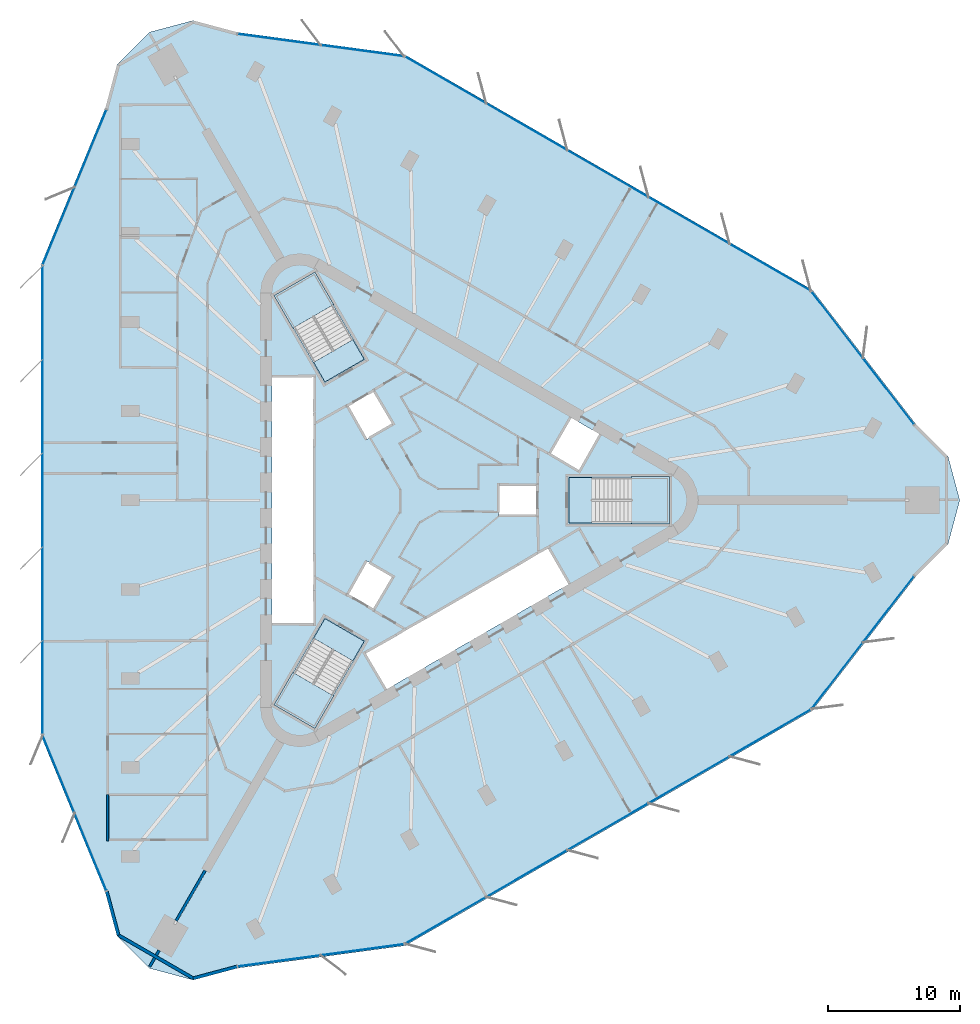
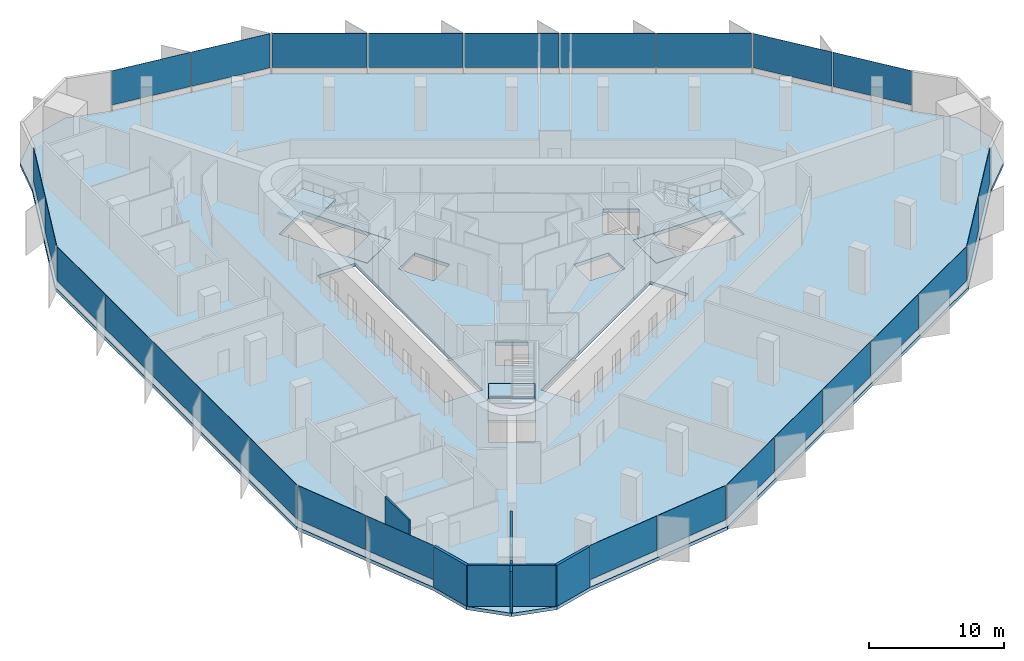
# One storey, part 7 of 14: 27 plates, 7 slabs, 7 walls, 12 elements without a shape of their own.
"""IFC4 building model written with IfcOpenShell, lengths in metres."""

from ifc_helpers import new_model, si_unit, direction, frame, frame_2d, origin, origin_2d, place, context, subcontext, project, spatial, polyline, rectangle, outline, extrude, material, layer, layer_set, type_object, element, aggregate, save


model = new_model("IFC4")

# Units and contexts
model_context = context("Model", 3, precision=1e-05, world=origin(), true_north=direction((0.0, 1.0)))
body_context = subcontext(model_context, "Body", "Model", "MODEL_VIEW")
ifc_project = project(units=[si_unit("LENGTHUNIT", "METRE"), si_unit("AREAUNIT", "SQUARE_METRE"), si_unit("VOLUMEUNIT", "CUBIC_METRE"), si_unit("PLANEANGLEUNIT", "RADIAN"), si_unit("MASSUNIT", "GRAM", prefix="KILO")], contexts=[model_context])

# Site, building, storey
site_placement = place(None, origin())
site = spatial("IfcSite", under=ifc_project, at=site_placement, CompositionType="ELEMENT")
building_placement = place(site_placement, origin())
building = spatial("IfcBuilding", under=site, at=building_placement, Name="Tanit Gate Tower", CompositionType="ELEMENT")
storey_placement = place(building_placement, frame((0.0, 0.0, 229.199951171875)))
storey = spatial("IfcBuildingStorey", under=building, at=storey_placement, Name="L51", CompositionType="ELEMENT", Elevation=229.199951171875)

# Slab
ifc_material_1 = material(Name="Concrete C35/45", Category="concrete")
ifc_layer_1 = layer(ifc_material_1, 0.300048828125)
ifc_layer_set_1 = layer_set([ifc_layer_1], Name="FLOOR SLAB 300 C35/45")
slab_type_1 = type_object("IfcSlabType", Name="FLOOR SLAB 300 C35/45", PredefinedType="FLOOR", material=ifc_layer_set_1)
slab_1_placement = place(storey_placement, frame((0.0, 0.0, -0.300048828125)))
element("IfcSlab", 1, at=slab_1_placement, inside=storey, type_object=slab_type_1, Name="FLOOR SLAB L51", PredefinedType="FLOOR", context=body_context, shape_type="SweptSolid", body=[
    extrude(outline(polyline([(37.72509765625, 5.792724609375), (40.173583984375, 3.344482421875), (41.069580078125, 0.0), (40.173583984375, -3.344482421875), (37.72509765625, -5.792724609375), (29.8583984375, -15.986572265625), (-1.083251953125, -33.853515625), (-13.845947265625, -35.5673828125), (-17.1904296875, -36.46337890625), (-20.534912109375, -35.5673828125), (-22.983154296875, -33.119140625), (-23.879150390625, -29.774658203125), (-28.77392578125, -17.86474609375), (-28.7763671875, 17.86474609375), (-23.879150390625, 29.774658203125), (-22.983154296875, 33.119140625), (-20.534912109375, 35.5673828125), (-17.1904296875, 36.46337890625), (-13.845947265625, 35.5673828125), (-1.08447265625, 33.851318359375), (29.859619140625, 15.988525390625), (37.72509765625, 5.792724609375)]), holes=[polyline([(11.3701171875, 1.72998046875), (18.929931640625, 1.72998046875), (18.929931640625, -1.72998046875), (11.3701171875, -1.72998046875), (11.3701171875, 1.72998046875)]), polyline([(9.82080078125, 3.510009765625), (11.44580078125, 6.324462890625), (13.783935546875, 4.974609375), (12.158935546875, 2.159912109375), (9.82080078125, 3.510009765625)]), polyline([(-4.208984375, -11.60986328125), (9.82080078125, -3.510009765625), (11.44580078125, -6.324462890625), (-2.583984375, -14.424560546875), (-4.208984375, -11.60986328125)]), polyline([(6.0, 1.199951171875), (9.0, 1.199951171875), (9.0, -1.199951171875), (6.0, -1.199951171875), (6.0, 1.199951171875)]), polyline([(-5.539306640625, 7.194091796875), (-3.460693359375, 8.394287109375), (-1.960693359375, 5.796142578125), (-4.039306640625, 4.59619140625), (-5.539306640625, 7.194091796875)]), polyline([(-1.960693359375, -5.796142578125), (-3.460693359375, -8.394287109375), (-5.539306640625, -7.194091796875), (-4.039306640625, -4.59619140625), (-1.960693359375, -5.796142578125)]), polyline([(-10.963134765625, 15.52880859375), (-7.966796875, 17.2587890625), (-4.186767578125, 10.711669921875), (-7.18310546875, 8.981689453125), (-10.963134765625, 15.52880859375)]), polyline([(-4.186767578125, -10.711669921875), (-7.966796875, -17.2587890625), (-10.963134765625, -15.52880859375), (-7.18310546875, -8.981689453125), (-4.186767578125, -10.711669921875)]), polyline([(-11.199951171875, -9.449951171875), (-11.199951171875, 9.449951171875), (-7.949951171875, 9.449951171875), (-7.949951171875, -9.449951171875), (-11.199951171875, -9.449951171875)])]), origin(), (0.0, 0.0, 1.0), 0.300048828125),
])

# Curtain wall, plates
ifc_material_2 = material(Name="Aluminium bronze anodised and glass", Category="aluminium")
curtain_wall_type = type_object("IfcCurtainWallType", Name="Curtain wall typical mid", PredefinedType="NOTDEFINED", material=ifc_material_2)
curtain_wall_1_placement = place(storey_placement, origin())
curtain_wall_1 = element("IfcCurtainWall", 2, at=curtain_wall_1_placement, inside=storey, type_object=curtain_wall_type, Name="Curtain wall L51 NE1", PredefinedType="NOTDEFINED")
ifc_material_3 = material(Name="Glass tinted", Category="glass")
ifc_layer_2 = layer(ifc_material_3, 0.030029296875)
ifc_layer_set_2 = layer_set([ifc_layer_2], Name="Glass panel 30 typical mid")
plate_type = type_object("IfcPlateType", Name="Glass panel 30 typical mid", PredefinedType="CURTAIN_PANEL", material=ifc_layer_set_2)
plate_1_placement = place(storey_placement, frame((35.65869140625, 8.27490234375, 0.60009765625), z_axis=(0.0, 0.0, 1.0), x_axis=(-0.610813286526, 0.791774670599, 0.0)))
plate_1 = element("IfcPlate", 3, at=plate_1_placement, type_object=plate_type, Name="Glass panel L51 NE1.1", PredefinedType="CURTAIN_PANEL", context=body_context, shape_type="SweptSolid", body=[
    extrude(rectangle(XDim=6.310791015625, YDim=0.030029296875, at=origin_2d()), origin(), (0.0, 0.0, 1.0), 3.10009765625),
])
plate_2_placement = place(storey_placement, frame((31.755126953125, 13.3349609375, 0.60009765625), z_axis=(0.0, 0.0, 1.0), x_axis=(-0.610813286526, 0.791774670599, 0.0)))
plate_2 = element("IfcPlate", 4, at=plate_2_placement, type_object=plate_type, Name="Glass panel L51 NE1.2", PredefinedType="CURTAIN_PANEL", context=body_context, shape_type="SweptSolid", body=[
    extrude(rectangle(XDim=6.310791015625, YDim=0.030029296875, at=origin_2d()), origin(), (0.0, 0.0, 1.0), 3.10009765625),
])
aggregate(curtain_wall_1, [plate_1, plate_2])

curtain_wall_2_placement = place(storey_placement, origin())
curtain_wall_2 = element("IfcCurtainWall", 5, at=curtain_wall_2_placement, inside=storey, type_object=curtain_wall_type, Name="Curtain wall L51 NE2", PredefinedType="NOTDEFINED")
plate_3_placement = place(storey_placement, frame((26.6611328125, 17.696533203125, 0.60009765625), z_axis=(0.0, 0.0, 1.0), x_axis=(-0.866060071089, 0.49993994966, 0.0)))
plate_3 = element("IfcPlate", 6, at=plate_3_placement, type_object=plate_type, Name="Glass panel L51 NE2.1", PredefinedType="CURTAIN_PANEL", context=body_context, shape_type="SweptSolid", body=[
    extrude(rectangle(XDim=7.040283203125, YDim=0.030029296875, at=origin_2d()), origin(), (0.0, 0.0, 1.0), 3.10009765625),
])
plate_4_placement = place(storey_placement, frame((20.494384765625, 21.25634765625, 0.60009765625), z_axis=(0.0, 0.0, 1.0), x_axis=(-0.866060071089, 0.49993994966, 0.0)))
plate_4 = element("IfcPlate", 7, at=plate_4_placement, type_object=plate_type, Name="Glass panel L51 NE2.2", PredefinedType="CURTAIN_PANEL", context=body_context, shape_type="SweptSolid", body=[
    extrude(rectangle(XDim=7.04052734375, YDim=0.030029296875, at=origin_2d()), origin(), (0.0, 0.0, 1.0), 3.10009765625),
])
plate_5_placement = place(storey_placement, frame((14.32763671875, 24.816162109375, 0.60009765625), z_axis=(0.0, 0.0, 1.0), x_axis=(-0.866060071089, 0.49993994966, 0.0)))
plate_5 = element("IfcPlate", 8, at=plate_5_placement, type_object=plate_type, Name="Glass panel L51 NE2.3", PredefinedType="CURTAIN_PANEL", context=body_context, shape_type="SweptSolid", body=[
    extrude(rectangle(XDim=7.040283203125, YDim=0.030029296875, at=origin_2d()), origin(), (0.0, 0.0, 1.0), 3.10009765625),
])
plate_6_placement = place(storey_placement, frame((8.160888671875, 28.375732421875, 0.60009765625), z_axis=(0.0, 0.0, 1.0), x_axis=(-0.866060071089, 0.49993994966, 0.0)))
plate_6 = element("IfcPlate", 9, at=plate_6_placement, type_object=plate_type, Name="Glass panel L51 NE2.4", PredefinedType="CURTAIN_PANEL", context=body_context, shape_type="SweptSolid", body=[
    extrude(rectangle(XDim=7.04052734375, YDim=0.030029296875, at=origin_2d()), origin(), (0.0, 0.0, 1.0), 3.10009765625),
])
plate_7_placement = place(storey_placement, frame((1.994140625, 31.935546875, 0.60009765625), z_axis=(0.0, 0.0, 1.0), x_axis=(-0.866060071089, 0.49993994966, 0.0)))
plate_7 = element("IfcPlate", 10, at=plate_7_placement, type_object=plate_type, Name="Glass panel L51 NE2.5", PredefinedType="CURTAIN_PANEL", context=body_context, shape_type="SweptSolid", body=[
    extrude(rectangle(XDim=7.040283203125, YDim=0.030029296875, at=origin_2d()), origin(), (0.0, 0.0, 1.0), 3.10009765625),
])
aggregate(curtain_wall_2, [plate_3, plate_4, plate_5, plate_6, plate_7])

curtain_wall_3_placement = place(storey_placement, origin())
curtain_wall_3 = element("IfcCurtainWall", 11, at=curtain_wall_3_placement, inside=storey, type_object=curtain_wall_type, Name="Curtain wall L51 NE3", PredefinedType="NOTDEFINED")
plate_8_placement = place(storey_placement, frame((-4.330078125, 34.166748046875, 0.60009765625), z_axis=(0.0, 0.0, 1.0), x_axis=(-0.991079923129, 0.133268848466, 0.0)))
plate_8 = element("IfcPlate", 12, at=plate_8_placement, type_object=plate_type, Name="Glass panel L51 NE3.1", PredefinedType="CURTAIN_PANEL", context=body_context, shape_type="SweptSolid", body=[
    extrude(rectangle(XDim=6.310302734375, YDim=0.030029296875, at=origin_2d()), origin(), (0.0, 0.0, 1.0), 3.10009765625),
])
plate_9_placement = place(storey_placement, frame((-10.663330078125, 35.018310546875, 0.60009765625), z_axis=(0.0, 0.0, 1.0), x_axis=(-0.991079923129, 0.133268848466, 0.0)))
plate_9 = element("IfcPlate", 13, at=plate_9_placement, type_object=plate_type, Name="Glass panel L51 NE3.2", PredefinedType="CURTAIN_PANEL", context=body_context, shape_type="SweptSolid", body=[
    extrude(rectangle(XDim=6.310302734375, YDim=0.030029296875, at=origin_2d()), origin(), (0.0, 0.0, 1.0), 3.10009765625),
])
aggregate(curtain_wall_3, [plate_8, plate_9])

curtain_wall_4_placement = place(storey_placement, origin())
curtain_wall_4 = element("IfcCurtainWall", 14, at=curtain_wall_4_placement, inside=storey, type_object=curtain_wall_type, Name="Curtain wall L51 W1", PredefinedType="NOTDEFINED")
plate_10_placement = place(storey_placement, frame((-24.99560546875, 26.743896484375, 0.60009765625), z_axis=(0.0, 0.0, 1.0), x_axis=(-0.380290335549, -0.924867158401, 0.0)))
plate_10 = element("IfcPlate", 15, at=plate_10_placement, type_object=plate_type, Name="Glass panel L51 W1.1", PredefinedType="CURTAIN_PANEL", context=body_context, shape_type="SweptSolid", body=[
    extrude(rectangle(XDim=6.310791015625, YDim=0.030029296875, at=origin_2d()), origin(), (0.0, 0.0, 1.0), 3.10009765625),
])
plate_11_placement = place(storey_placement, frame((-27.426025390625, 20.833251953125, 0.60009765625), z_axis=(0.0, 0.0, 1.0), x_axis=(-0.380290335549, -0.924867158401, 0.0)))
plate_11 = element("IfcPlate", 16, at=plate_11_placement, type_object=plate_type, Name="Glass panel L51 W1.2", PredefinedType="CURTAIN_PANEL", context=body_context, shape_type="SweptSolid", body=[
    extrude(rectangle(XDim=6.310791015625, YDim=0.030029296875, at=origin_2d()), origin(), (0.0, 0.0, 1.0), 3.10009765625),
])
aggregate(curtain_wall_4, [plate_10, plate_11])

curtain_wall_5_placement = place(storey_placement, origin())
curtain_wall_5 = element("IfcCurtainWall", 17, at=curtain_wall_5_placement, inside=storey, type_object=curtain_wall_type, Name="Curtain wall L51 W2", PredefinedType="NOTDEFINED")
plate_12_placement = place(storey_placement, frame((-28.656005859375, 14.240966796875, 0.60009765625), z_axis=(0.0, 0.0, 1.0), x_axis=(6.9338772e-05, -0.999999997596, 0.0)))
plate_12 = element("IfcPlate", 18, at=plate_12_placement, type_object=plate_type, Name="Glass panel L51 W2.1", PredefinedType="CURTAIN_PANEL", context=body_context, shape_type="SweptSolid", body=[
    extrude(rectangle(XDim=7.040283203125, YDim=0.030029296875, at=origin_2d()), origin(), (0.0, 0.0, 1.0), 3.10009765625),
])
plate_13_placement = place(storey_placement, frame((-28.655517578125, 7.120361328125, 0.60009765625), z_axis=(0.0, 0.0, 1.0), x_axis=(6.9338772e-05, -0.999999997596, 0.0)))
plate_13 = element("IfcPlate", 19, at=plate_13_placement, type_object=plate_type, Name="Glass panel L51 W2.2", PredefinedType="CURTAIN_PANEL", context=body_context, shape_type="SweptSolid", body=[
    extrude(rectangle(XDim=7.04052734375, YDim=0.030029296875, at=origin_2d()), origin(), (0.0, 0.0, 1.0), 3.10009765625),
])
plate_14_placement = place(storey_placement, frame((-28.655029296875, 0.0, 0.60009765625), z_axis=(0.0, 0.0, 1.0), x_axis=(6.9338772e-05, -0.999999997596, 0.0)))
plate_14 = element("IfcPlate", 20, at=plate_14_placement, type_object=plate_type, Name="Glass panel L51 W2.3", PredefinedType="CURTAIN_PANEL", context=body_context, shape_type="SweptSolid", body=[
    extrude(rectangle(XDim=7.040283203125, YDim=0.030029296875, at=origin_2d()), origin(), (0.0, 0.0, 1.0), 3.10009765625),
])
plate_15_placement = place(storey_placement, frame((-28.654541015625, -7.120361328125, 0.60009765625), z_axis=(0.0, 0.0, 1.0), x_axis=(6.9338772e-05, -0.999999997596, 0.0)))
plate_15 = element("IfcPlate", 21, at=plate_15_placement, type_object=plate_type, Name="Glass panel L51 W2.4", PredefinedType="CURTAIN_PANEL", context=body_context, shape_type="SweptSolid", body=[
    extrude(rectangle(XDim=7.04052734375, YDim=0.030029296875, at=origin_2d()), origin(), (0.0, 0.0, 1.0), 3.10009765625),
])
plate_16_placement = place(storey_placement, frame((-28.654052734375, -14.240966796875, 0.60009765625), z_axis=(0.0, 0.0, 1.0), x_axis=(6.9338772e-05, -0.999999997596, 0.0)))
plate_16 = element("IfcPlate", 22, at=plate_16_placement, type_object=plate_type, Name="Glass panel L51 W2.5", PredefinedType="CURTAIN_PANEL", context=body_context, shape_type="SweptSolid", body=[
    extrude(rectangle(XDim=7.040283203125, YDim=0.030029296875, at=origin_2d()), origin(), (0.0, 0.0, 1.0), 3.10009765625),
])
aggregate(curtain_wall_5, [plate_12, plate_13, plate_14, plate_15, plate_16])

curtain_wall_6_placement = place(storey_placement, origin())
curtain_wall_6 = element("IfcCurtainWall", 23, at=curtain_wall_6_placement, inside=storey, type_object=curtain_wall_type, Name="Curtain wall L51 W3", PredefinedType="NOTDEFINED")
plate_17_placement = place(storey_placement, frame((-27.424072265625, -20.833251953125, 0.60009765625), z_axis=(0.0, 0.0, 1.0), x_axis=(0.380125753259, -0.924934814843, 0.0)))
plate_17 = element("IfcPlate", 24, at=plate_17_placement, type_object=plate_type, Name="Glass panel L51 W3.1", PredefinedType="CURTAIN_PANEL", context=body_context, shape_type="SweptSolid", body=[
    extrude(rectangle(XDim=6.310302734375, YDim=0.030029296875, at=origin_2d()), origin(), (0.0, 0.0, 1.0), 3.10009765625),
])
plate_18_placement = place(storey_placement, frame((-24.9951171875, -26.743896484375, 0.60009765625), z_axis=(0.0, 0.0, 1.0), x_axis=(0.380125753259, -0.924934814843, 0.0)))
plate_18 = element("IfcPlate", 25, at=plate_18_placement, type_object=plate_type, Name="Glass panel L51 W3.2", PredefinedType="CURTAIN_PANEL", context=body_context, shape_type="SweptSolid", body=[
    extrude(rectangle(XDim=6.310302734375, YDim=0.030029296875, at=origin_2d()), origin(), (0.0, 0.0, 1.0), 3.10009765625),
])
aggregate(curtain_wall_6, [plate_17, plate_18])

curtain_wall_7_placement = place(storey_placement, origin())
curtain_wall_7 = element("IfcCurtainWall", 26, at=curtain_wall_7_placement, inside=storey, type_object=curtain_wall_type, Name="Curtain wall L51 SE1", PredefinedType="NOTDEFINED")
plate_19_placement = place(storey_placement, frame((-10.6630859375, -35.018798828125, 0.60009765625), z_axis=(0.0, 0.0, 1.0), x_axis=(0.991103622075, 0.133092487801, 0.0)))
plate_19 = element("IfcPlate", 27, at=plate_19_placement, type_object=plate_type, Name="Glass panel L51 SE1.1", PredefinedType="CURTAIN_PANEL", context=body_context, shape_type="SweptSolid", body=[
    extrude(rectangle(XDim=6.310791015625, YDim=0.030029296875, at=origin_2d()), origin(), (0.0, 0.0, 1.0), 3.10009765625),
])
plate_20_placement = place(storey_placement, frame((-4.329345703125, -34.168212890625, 0.60009765625), z_axis=(0.0, 0.0, 1.0), x_axis=(0.991103622075, 0.133092487801, 0.0)))
plate_20 = element("IfcPlate", 28, at=plate_20_placement, type_object=plate_type, Name="Glass panel L51 SE1.2", PredefinedType="CURTAIN_PANEL", context=body_context, shape_type="SweptSolid", body=[
    extrude(rectangle(XDim=6.310791015625, YDim=0.030029296875, at=origin_2d()), origin(), (0.0, 0.0, 1.0), 3.10009765625),
])
aggregate(curtain_wall_7, [plate_19, plate_20])

curtain_wall_8_placement = place(storey_placement, origin())
curtain_wall_8 = element("IfcCurtainWall", 29, at=curtain_wall_8_placement, inside=storey, type_object=curtain_wall_type, Name="Curtain wall L51 SE2", PredefinedType="NOTDEFINED")
plate_21_placement = place(storey_placement, frame((1.9951171875, -31.937255859375, 0.60009765625), z_axis=(0.0, 0.0, 1.0), x_axis=(0.865990732317, 0.500060047936, 0.0)))
plate_21 = element("IfcPlate", 30, at=plate_21_placement, type_object=plate_type, Name="Glass panel L51 SE2.1", PredefinedType="CURTAIN_PANEL", context=body_context, shape_type="SweptSolid", body=[
    extrude(rectangle(XDim=7.040283203125, YDim=0.030029296875, at=origin_2d()), origin(), (0.0, 0.0, 1.0), 3.10009765625),
])
plate_22_placement = place(storey_placement, frame((8.161376953125, -28.376708984375, 0.60009765625), z_axis=(0.0, 0.0, 1.0), x_axis=(0.865990732317, 0.500060047936, 0.0)))
plate_22 = element("IfcPlate", 31, at=plate_22_placement, type_object=plate_type, Name="Glass panel L51 SE2.2", PredefinedType="CURTAIN_PANEL", context=body_context, shape_type="SweptSolid", body=[
    extrude(rectangle(XDim=7.04052734375, YDim=0.030029296875, at=origin_2d()), origin(), (0.0, 0.0, 1.0), 3.10009765625),
])
plate_23_placement = place(storey_placement, frame((14.32763671875, -24.816162109375, 0.60009765625), z_axis=(0.0, 0.0, 1.0), x_axis=(0.865990732317, 0.500060047936, 0.0)))
plate_23 = element("IfcPlate", 32, at=plate_23_placement, type_object=plate_type, Name="Glass panel L51 SE2.3", PredefinedType="CURTAIN_PANEL", context=body_context, shape_type="SweptSolid", body=[
    extrude(rectangle(XDim=7.040283203125, YDim=0.030029296875, at=origin_2d()), origin(), (0.0, 0.0, 1.0), 3.10009765625),
])
plate_24_placement = place(storey_placement, frame((20.493896484375, -21.25537109375, 0.60009765625), z_axis=(0.0, 0.0, 1.0), x_axis=(0.865990732317, 0.500060047936, 0.0)))
plate_24 = element("IfcPlate", 33, at=plate_24_placement, type_object=plate_type, Name="Glass panel L51 SE2.4", PredefinedType="CURTAIN_PANEL", context=body_context, shape_type="SweptSolid", body=[
    extrude(rectangle(XDim=7.04052734375, YDim=0.030029296875, at=origin_2d()), origin(), (0.0, 0.0, 1.0), 3.10009765625),
])
plate_25_placement = place(storey_placement, frame((26.66015625, -17.69482421875, 0.60009765625), z_axis=(0.0, 0.0, 1.0), x_axis=(0.865990732317, 0.500060047936, 0.0)))
plate_25 = element("IfcPlate", 34, at=plate_25_placement, type_object=plate_type, Name="Glass panel L51 SE2.5", PredefinedType="CURTAIN_PANEL", context=body_context, shape_type="SweptSolid", body=[
    extrude(rectangle(XDim=7.040283203125, YDim=0.030029296875, at=origin_2d()), origin(), (0.0, 0.0, 1.0), 3.10009765625),
])
aggregate(curtain_wall_8, [plate_21, plate_22, plate_23, plate_24, plate_25])

curtain_wall_9_placement = place(storey_placement, origin())
curtain_wall_9 = element("IfcCurtainWall", 35, at=curtain_wall_9_placement, inside=storey, type_object=curtain_wall_type, Name="Curtain wall L51 SE3", PredefinedType="NOTDEFINED")
plate_26_placement = place(storey_placement, frame((31.75439453125, -13.333251953125, 0.60009765625), z_axis=(0.0, 0.0, 1.0), x_axis=(0.610954169869, 0.791665966377, 0.0)))
plate_26 = element("IfcPlate", 36, at=plate_26_placement, type_object=plate_type, Name="Glass panel L51 SE3.1", PredefinedType="CURTAIN_PANEL", context=body_context, shape_type="SweptSolid", body=[
    extrude(rectangle(XDim=6.310302734375, YDim=0.030029296875, at=origin_2d()), origin(), (0.0, 0.0, 1.0), 3.10009765625),
])
plate_27_placement = place(storey_placement, frame((35.658447265625, -8.2744140625, 0.60009765625), z_axis=(0.0, 0.0, 1.0), x_axis=(0.610954169869, 0.791665966377, 0.0)))
plate_27 = element("IfcPlate", 37, at=plate_27_placement, type_object=plate_type, Name="Glass panel L51 SE3.2", PredefinedType="CURTAIN_PANEL", context=body_context, shape_type="SweptSolid", body=[
    extrude(rectangle(XDim=6.310302734375, YDim=0.030029296875, at=origin_2d()), origin(), (0.0, 0.0, 1.0), 3.10009765625),
])
aggregate(curtain_wall_9, [plate_26, plate_27])

# Stair, slab
ifc_material_4 = material(Name="Concrete C40/50", Category="concrete")
stair_type = type_object("IfcStairType", Name="INT-STAIR-EXIT", PredefinedType="HALF_TURN_STAIR", material=ifc_material_4)
stair_1_placement = place(storey_placement, origin())
stair_1 = element("IfcStair", 38, at=stair_1_placement, inside=storey, type_object=stair_type, Name="L51 STAIR S1", PredefinedType="HALF_TURN_STAIR")
ifc_material_5 = material(Name="Concrete C40/50", Category="concrete")
ifc_layer_3 = layer(ifc_material_5, 0.199951171875)
ifc_layer_set_3 = layer_set([ifc_layer_3], Name="INT-STAIR-LANDING")
slab_type_2 = type_object("IfcSlabType", Name="INT-STAIR-LANDING", PredefinedType="LANDING", material=ifc_layer_set_3)
slab_2_placement = place(storey_placement, frame((0.0, 0.0, 1.800048828125)))
slab_2 = element("IfcSlab", 39, at=slab_2_placement, type_object=slab_type_2, Name="S1 landing 1", PredefinedType="LANDING", context=body_context, shape_type="SweptSolid", body=[
    extrude(outline(polyline([(16.135986328125, -1.800048828125), (19.0, -1.800048828125), (19.0, 1.800048828125), (16.135986328125, 1.800048828125), (16.135986328125, -1.800048828125)])), origin(), (0.0, 0.0, 1.0), 0.199951171875),
])
aggregate(stair_1, [slab_2])

# Slab
slab_3_placement = place(storey_placement, frame((0.0, 0.0, -0.199951171875)))
element("IfcSlab", 40, at=slab_3_placement, inside=storey, type_object=slab_type_2, Name="S1 floor landing", PredefinedType="LANDING", context=body_context, shape_type="SweptSolid", body=[
    extrude(outline(polyline([(11.3798828125, -1.719970703125), (13.10498046875, -1.719970703125), (13.10498046875, 1.719970703125), (11.3798828125, 1.719970703125), (11.3798828125, -1.719970703125)])), origin(), (0.0, 0.0, 1.0), 0.199951171875),
])

# Stair, slab
stair_2_placement = place(storey_placement, origin())
stair_2 = element("IfcStair", 41, at=stair_2_placement, inside=storey, type_object=stair_type, Name="L51 STAIR S2", PredefinedType="HALF_TURN_STAIR")
slab_4_placement = place(storey_placement, frame((0.0, 0.0, 1.800048828125)))
slab_4 = element("IfcSlab", 42, at=slab_4_placement, type_object=slab_type_2, Name="S2 landing 1", PredefinedType="LANDING", context=body_context, shape_type="SweptSolid", body=[
    extrude(outline(polyline([(-6.5078125, 14.871826171875), (-7.941162109375, 17.3544921875), (-11.058837890625, 15.554443359375), (-9.62548828125, 13.07177734375), (-6.5078125, 14.871826171875)])), origin(), (0.0, 0.0, 1.0), 0.199951171875),
])
aggregate(stair_2, [slab_4])

# Slab
slab_5_placement = place(storey_placement, frame((0.0, 0.0, -0.199951171875)))
element("IfcSlab", 43, at=slab_5_placement, inside=storey, type_object=slab_type_2, Name="S2 floor landing", PredefinedType="LANDING", context=body_context, shape_type="SweptSolid", body=[
    extrude(outline(polyline([(-4.200439453125, 10.71533203125), (-5.0625, 12.20849609375), (-8.04150390625, 10.48828125), (-7.179443359375, 8.995361328125), (-4.200439453125, 10.71533203125)])), origin(), (0.0, 0.0, 1.0), 0.199951171875),
])

# Stair, slab
stair_3_placement = place(storey_placement, origin())
stair_3 = element("IfcStair", 44, at=stair_3_placement, inside=storey, type_object=stair_type, Name="L51 STAIR S3", PredefinedType="HALF_TURN_STAIR")
slab_6_placement = place(storey_placement, frame((0.0, 0.0, 1.800048828125)))
slab_6 = element("IfcSlab", 45, at=slab_6_placement, type_object=slab_type_2, Name="S3 landing 1", PredefinedType="LANDING", context=body_context, shape_type="SweptSolid", body=[
    extrude(outline(polyline([(-9.626953125, -13.07421875), (-11.058837890625, -15.554443359375), (-7.941162109375, -17.3544921875), (-6.509033203125, -14.874267578125), (-9.626953125, -13.07421875)])), origin(), (0.0, 0.0, 1.0), 0.199951171875),
])
aggregate(stair_3, [slab_6])

# Slab
slab_7_placement = place(storey_placement, frame((0.0, 0.0, -0.199951171875)))
element("IfcSlab", 46, at=slab_7_placement, inside=storey, type_object=slab_type_2, Name="S3 floor landing", PredefinedType="LANDING", context=body_context, shape_type="SweptSolid", body=[
    extrude(outline(polyline([(-7.179443359375, -8.995361328125), (-8.0419921875, -10.4892578125), (-5.06298828125, -12.209228515625), (-4.200439453125, -10.71533203125), (-7.179443359375, -8.995361328125)])), origin(), (0.0, 0.0, 1.0), 0.199951171875),
])

# Walls
ifc_material_6 = material(Name="Concrete C30/37 with bronze anodised aluminium cladding", Category="concrete")
ifc_layer_4 = layer(ifc_material_6, 0.239990234375)
ifc_layer_set_4 = layer_set([ifc_layer_4], Name="Facade wall bronze clad 240")
wall_type_1 = type_object("IfcWallType", Name="Facade wall bronze clad 240", PredefinedType="SOLIDWALL", material=ifc_layer_set_4)
wall_1_placement = place(storey_placement, frame((-23.765380859375, -29.736083984375, 0.0), z_axis=(0.0, 0.0, 1.0), x_axis=(0.258842571536, -0.965919522093, 0.0)))
element("IfcWall", 47, at=wall_1_placement, inside=storey, type_object=wall_type_1, Name="Bronze-clad facade wall L51 SW.arc1", PredefinedType="SOLIDWALL", context=body_context, shape_type="SweptSolid", body=[
    extrude(rectangle(XDim=3.43798828125, YDim=0.239990234375, at=frame_2d((1.718994140625, 0.0))), origin(), (0.0, 0.0, 1.0), 3.699951171875),
])
wall_2_placement = place(storey_placement, frame((-22.87548828125, -33.056884765625, 0.0), z_axis=(0.0, 0.0, 1.0), x_axis=(0.866012172048, -0.50002291734, 0.0)))
element("IfcWall", 48, at=wall_2_placement, inside=storey, type_object=wall_type_1, Name="Bronze-clad facade wall L51 SW.arc2", PredefinedType="SOLIDWALL", context=body_context, shape_type="SweptSolid", body=[
    extrude(rectangle(XDim=6.564697265625, YDim=0.239990234375, at=frame_2d((3.2822265625, 0.0))), origin(), (0.0, 0.0, 1.0), 3.699951171875),
])
wall_3_placement = place(storey_placement, frame((-17.1904296875, -36.33935546875, 0.0), z_axis=(0.0, 0.0, 1.0), x_axis=(0.965919522093, 0.258842571536, 0.0)))
element("IfcWall", 49, at=wall_3_placement, inside=storey, type_object=wall_type_1, Name="Bronze-clad facade wall L51 SW.arc3", PredefinedType="SOLIDWALL", context=body_context, shape_type="SweptSolid", body=[
    extrude(rectangle(XDim=3.43798828125, YDim=0.239990234375, at=frame_2d((1.718994140625, 0.0))), origin(), (0.0, 0.0, 1.0), 3.699951171875),
])
ifc_material_7 = material(Name="Fire-rated gypsum board partition")
ifc_layer_5 = layer(ifc_material_7, 0.199951171875)
ifc_layer_set_5 = layer_set([ifc_layer_5], Name="INT-WALL-COMPARTMENT")
wall_type_2 = type_object("IfcWallType", Name="INT-WALL-COMPARTMENT", PredefinedType="PARTITIONING", material=ifc_layer_set_5)
wall_4_placement = place(storey_placement, frame((-16.28515625, -28.146484375, 0.0), z_axis=(0.0, 0.0, 1.0), x_axis=(-0.499992938033, -0.866029480975, 0.0)))
element("IfcWall", 50, at=wall_4_placement, inside=storey, type_object=wall_type_2, Name="Wall Compartment W127", PredefinedType="PARTITIONING", context=body_context, shape_type="SweptSolid", body=[
    extrude(rectangle(XDim=4.4013671875, YDim=0.199951171875, at=frame_2d((2.20068359375, 0.0))), origin(), (0.0, 0.0, 1.0), 3.27001953125),
])
wall_5_placement = place(storey_placement, frame((-19.785888671875, -34.2099609375, 0.0), z_axis=(0.0, 0.0, 1.0), x_axis=(-0.50001992892, -0.866013897511, 0.0)))
element("IfcWall", 51, at=wall_5_placement, inside=storey, type_object=wall_type_2, Name="Wall Compartment W126", PredefinedType="PARTITIONING", context=body_context, shape_type="SweptSolid", body=[
    extrude(rectangle(XDim=0.42626953125, YDim=0.199951171875, at=frame_2d((0.213134765625, 0.0))), origin(), (0.0, 0.0, 1.0), 3.699951171875),
])
wall_6_placement = place(storey_placement, frame((-20.118896484375, -34.787109375, 0.0), z_axis=(0.0, 0.0, 1.0), x_axis=(-0.500088105676, -0.865974529972, 0.0)))
element("IfcWall", 52, at=wall_6_placement, inside=storey, type_object=wall_type_2, Name="Wall Compartment W126x1", PredefinedType="PARTITIONING", context=body_context, shape_type="SweptSolid", body=[
    extrude(rectangle(XDim=0.751220703125, YDim=0.199951171875, at=frame_2d((0.37548828125, 0.0))), origin(), (0.0, 0.0, 1.0), 3.699951171875),
])
ifc_material_8 = material(Name="Fire-rated gypsum board partition")
ifc_layer_6 = layer(ifc_material_8, 0.14990234375)
ifc_layer_set_6 = layer_set([ifc_layer_6], Name="INT-WALL-RISER")
wall_type_3 = type_object("IfcWallType", Name="INT-WALL-RISER", PredefinedType="PLUMBINGWALL", material=ifc_layer_set_6)
wall_7_placement = place(storey_placement, frame((-23.68994140625, -25.89501953125, 0.0), z_axis=(0.0, 0.0, 1.0), x_axis=(0.0, 1.0, 0.0)))
element("IfcWall", 53, at=wall_7_placement, inside=storey, type_object=wall_type_3, Name="Wall Riser W133", PredefinedType="PLUMBINGWALL", context=body_context, shape_type="SweptSolid", body=[
    extrude(rectangle(XDim=3.52197265625, YDim=0.14990234375, at=frame_2d((1.760986328125, 0.0))), origin(), (0.0, 0.0, 1.0), 3.699951171875),
])

save(model, "model.ifc")
